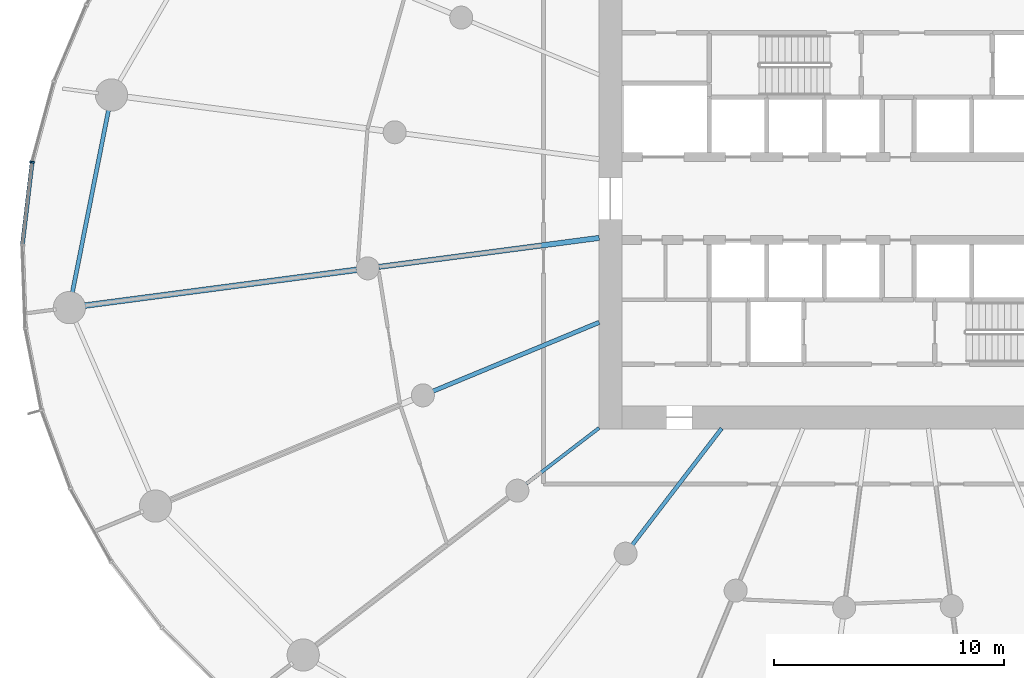
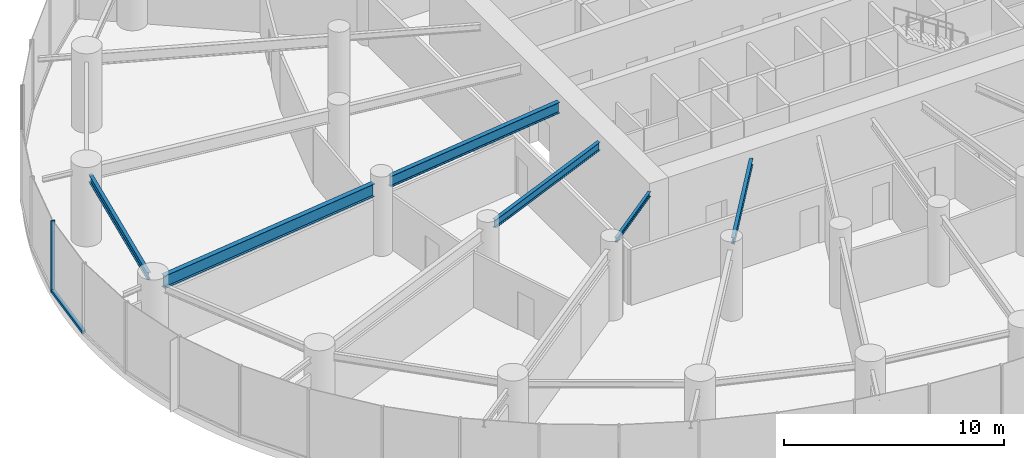
# One storey, part 3 of 19: 6 beams, 2 members, 1 element without a shape of its own.
"""IFC4 building model written with IfcOpenShell, lengths in metres."""

from ifc_helpers import new_model, si_unit, direction, frame, origin, origin_2d, place, context, subcontext, project, spatial, rectangle, i_section, extrude, source, transform, mapped, material, layer, layer_set, material_profile, profile_set, type_object, element, aggregate, save


model = new_model("IFC4")

# Units and contexts
model_context = context("Model", 3, precision=1e-05, world=origin(), true_north=direction((0.0, 1.0)))
body_context = subcontext(model_context, "Body", "Model", "MODEL_VIEW")
ifc_project = project(units=[si_unit("LENGTHUNIT", "METRE"), si_unit("AREAUNIT", "SQUARE_METRE"), si_unit("VOLUMEUNIT", "CUBIC_METRE"), si_unit("PLANEANGLEUNIT", "RADIAN"), si_unit("MASSUNIT", "GRAM", prefix="KILO")], contexts=[model_context])

# Site, building, storey
site_placement = place(None, origin())
site = spatial("IfcSite", under=ifc_project, at=site_placement, CompositionType="ELEMENT")
building_placement = place(site_placement, origin())
building = spatial("IfcBuilding", under=site, at=building_placement, Name="Spindrift Exchange Tower", CompositionType="ELEMENT")
storey_placement = place(building_placement, frame((0.0, 0.0, 57.800048828125)))
storey = spatial("IfcBuildingStorey", under=building, at=storey_placement, Name="L13", CompositionType="ELEMENT", Elevation=57.800048828125)

# Beams
ifc_material_1 = material(Name="Steel Grade 300", Category="steel")
ifc_material_profile_1 = material_profile(ifc_material_1, i_section(OverallWidth=0.22802734375, OverallDepth=0.60693359375, WebThickness=0.01123046875, FlangeThickness=0.017333984375, FilletRadius=0.013916015625, at=origin_2d()), Name="610UB113")
ifc_profile_set_1 = profile_set([ifc_material_profile_1], Name="Steel Grade 300")
beam_type_1 = type_object("IfcBeamType", Name="Floor Beam 610UB113 Steel Grade 300", PredefinedType="BEAM", material=ifc_profile_set_1)
shared_shape_1 = source(origin(), body_context, "Body", "SweptSolid", [
    extrude(i_section(OverallWidth=0.22802734375, OverallDepth=0.60693359375, WebThickness=0.01123046875, FlangeThickness=0.017333984375, FilletRadius=0.013916015625, at=origin_2d()), origin(), (0.0, 0.0, 1.0), 9.660400390625),
])
beam_1_placement = place(storey_placement, frame((39.019775390625, 46.291015625, 3.646484375), z_axis=(-0.99144767089, -0.130504850054, 0.0), x_axis=(0.130504850054, -0.99144767089, 0.0)))
element("IfcBeam", 1, at=beam_1_placement, inside=storey, type_object=beam_type_1, Name="L13 radial beam R13A", PredefinedType="BEAM", context=body_context, shape_type="MappedRepresentation", body=[
    mapped(shared_shape_1, transform((0.0, 0.0, 0.0), scale=1.0)),
])
ifc_material_profile_2 = material_profile(ifc_material_1, i_section(OverallWidth=0.25, OverallDepth=0.699951171875, WebThickness=0.008056640625, FlangeThickness=0.011962890625, at=origin_2d()), Name="700WB115")
ifc_profile_set_2 = profile_set([ifc_material_profile_2], Name="Steel Grade 300")
beam_type_2 = type_object("IfcBeamType", Name="Floor Beam 700WB115 Steel Grade 300", PredefinedType="BEAM", material=ifc_profile_set_2)
shared_shape_2 = source(origin(), body_context, "Body", "SweptSolid", [
    extrude(i_section(OverallWidth=0.25, OverallDepth=0.699951171875, WebThickness=0.008056640625, FlangeThickness=0.011962890625, at=origin_2d()), origin(), (0.0, 0.0, 1.0), 12.00830078125),
])
beam_2_placement = place(storey_placement, frame((28.490234375, 44.90478515625, 3.599853515625), z_axis=(-0.991444950947, -0.130525511844, 0.0), x_axis=(0.130525511844, -0.991444950947, 0.0)))
element("IfcBeam", 2, at=beam_2_placement, inside=storey, type_object=beam_type_2, Name="L13 radial beam R13B", PredefinedType="BEAM", context=body_context, shape_type="MappedRepresentation", body=[
    mapped(shared_shape_2, transform((0.0, 0.0, 0.0), scale=1.0)),
])
ifc_material_profile_3 = material_profile(ifc_material_1, i_section(OverallWidth=0.18994140625, OverallDepth=0.45703125, WebThickness=0.009033203125, FlangeThickness=0.014404296875, FilletRadius=0.013916015625, at=origin_2d()), Name="460UB74.6")
ifc_profile_set_3 = profile_set([ifc_material_profile_3], Name="Steel Grade 300")
beam_type_3 = type_object("IfcBeamType", Name="Floor Beam 460UB74.6 Steel Grade 300", PredefinedType="BEAM", material=ifc_profile_set_3)
shared_shape_3 = source(origin(), body_context, "Body", "SweptSolid", [
    extrude(i_section(OverallWidth=0.18994140625, OverallDepth=0.45703125, WebThickness=0.009033203125, FlangeThickness=0.014404296875, FilletRadius=0.013916015625, at=origin_2d()), origin(), (0.0, 0.0, 1.0), 7.808837890625),
])
beam_3_placement = place(storey_placement, frame((39.0185546875, 42.622802734375, 3.721435546875), z_axis=(-0.92387965154, -0.382683145003, 0.0), x_axis=(0.382683145003, -0.92387965154, 0.0)))
element("IfcBeam", 3, at=beam_3_placement, inside=storey, type_object=beam_type_3, Name="L13 radial beam R14A", PredefinedType="BEAM", context=body_context, shape_type="MappedRepresentation", body=[
    mapped(shared_shape_3, transform((0.0, 0.0, 0.0), scale=1.0)),
])
ifc_material_profile_4 = material_profile(ifc_material_1, i_section(OverallWidth=0.14599609375, OverallDepth=0.251953125, WebThickness=0.006103515625, FlangeThickness=0.008544921875, FilletRadius=0.011962890625, at=origin_2d()), Name="250UB31.4")
ifc_profile_set_4 = profile_set([ifc_material_profile_4], Name="Steel Grade 300")
beam_type_4 = type_object("IfcBeamType", Name="Floor Beam 250UB31.4 Steel Grade 300", PredefinedType="BEAM", material=ifc_profile_set_4)
shared_shape_4 = source(origin(), body_context, "Body", "SweptSolid", [
    extrude(i_section(OverallWidth=0.14599609375, OverallDepth=0.251953125, WebThickness=0.006103515625, FlangeThickness=0.008544921875, FilletRadius=0.011962890625, at=origin_2d()), origin(), (0.0, 0.0, 1.0), 3.99560546875),
])
beam_4_placement = place(storey_placement, frame((39.015869140625, 38.036865234375, 3.823974609375), z_axis=(-0.793352561574, -0.608762443851, 0.0), x_axis=(0.608762443851, -0.793352561574, 0.0)))
element("IfcBeam", 4, at=beam_4_placement, inside=storey, type_object=beam_type_4, Name="L13 radial beam R15A", PredefinedType="BEAM", context=body_context, shape_type="MappedRepresentation", body=[
    mapped(shared_shape_4, transform((0.0, 0.0, 0.0), scale=1.0)),
])
ifc_material_profile_5 = material_profile(ifc_material_1, i_section(OverallWidth=0.172119140625, OverallDepth=0.35888671875, WebThickness=0.008056640625, FlangeThickness=0.012939453125, FilletRadius=0.013916015625, at=origin_2d()), Name="360UB56.7")
ifc_profile_set_5 = profile_set([ifc_material_profile_5], Name="Steel Grade 300")
beam_type_5 = type_object("IfcBeamType", Name="Floor Beam 360UB56.7 Steel Grade 300", PredefinedType="BEAM", material=ifc_profile_set_5)
shared_shape_5 = source(origin(), body_context, "Body", "SweptSolid", [
    extrude(i_section(OverallWidth=0.172119140625, OverallDepth=0.35888671875, WebThickness=0.008056640625, FlangeThickness=0.012939453125, FilletRadius=0.013916015625, at=origin_2d()), origin(), (0.0, 0.0, 1.0), 6.37646484375),
])
beam_5_placement = place(storey_placement, frame((44.3388671875, 38.015869140625, 3.7705078125), z_axis=(-0.608766669952, -0.793349318747, 0.0), x_axis=(0.793349318747, -0.608766669952, 0.0)))
element("IfcBeam", 5, at=beam_5_placement, inside=storey, type_object=beam_type_5, Name="L13 radial beam R16A", PredefinedType="BEAM", context=body_context, shape_type="MappedRepresentation", body=[
    mapped(shared_shape_5, transform((0.0, 0.0, 0.0), scale=1.0)),
])
ifc_material_profile_6 = material_profile(ifc_material_1, i_section(OverallWidth=0.177978515625, OverallDepth=0.406005859375, WebThickness=0.0078125, FlangeThickness=0.0126953125, FilletRadius=0.013916015625, at=origin_2d()), Name="410UB59.7")
ifc_profile_set_6 = profile_set([ifc_material_profile_6], Name="Steel Grade 300")
beam_type_6 = type_object("IfcBeamType", Name="Edge Beam 410UB59.7 Steel Grade 300", PredefinedType="SPANDREL", material=ifc_profile_set_6)
shared_shape_6 = source(origin(), body_context, "Body", "SweptSolid", [
    extrude(i_section(OverallWidth=0.177978515625, OverallDepth=0.406005859375, WebThickness=0.0078125, FlangeThickness=0.0126953125, FilletRadius=0.013916015625, at=origin_2d()), origin(), (0.0, 0.0, 1.0), 8.2548828125),
])
beam_6_placement = place(storey_placement, frame((17.72607421875, 51.928466796875, 3.7470703125), z_axis=(-0.194278723288, -0.9809463684, 0.0), x_axis=(0.9809463684, -0.194278723288, 0.0)))
element("IfcBeam", 6, at=beam_6_placement, inside=storey, type_object=beam_type_6, Name="L13 edge beam E12", PredefinedType="SPANDREL", context=body_context, shape_type="MappedRepresentation", body=[
    mapped(shared_shape_6, transform((0.0, 0.0, 0.0), scale=1.0)),
])

# Curtain wall, members
ifc_material_2 = material(Name="Fritted laminated glass with bronze frame", Category="glass")
ifc_layer = layer(ifc_material_2, 0.199951171875)
ifc_layer_set = layer_set([ifc_layer], Name="ZONE 1 BRONZE FRITTED WALL")
curtain_wall_type = type_object("IfcCurtainWallType", Name="ZONE 1 BRONZE FRITTED WALL", PredefinedType="NOTDEFINED", material=ifc_layer_set)
curtain_wall_placement = place(storey_placement, origin())
curtain_wall = element("IfcCurtainWall", 7, at=curtain_wall_placement, inside=storey, type_object=curtain_wall_type, Name="L13 Zone 1 Bronze Fritted Wall run 5", PredefinedType="NOTDEFINED")
ifc_material_3 = material(Name="Bronze anodised aluminium", Category="aluminium")
ifc_material_profile_7 = material_profile(ifc_material_3, rectangle(XDim=0.080078125, YDim=0.199951171875, at=origin_2d()), Name="ZONE 1 BRONZE FRITTED WALL MULLION 80X200")
ifc_profile_set_7 = profile_set([ifc_material_profile_7], Name="Bronze anodised aluminium")
member_type_1 = type_object("IfcMemberType", Name="ZONE 1 BRONZE FRITTED WALL MULLION 80X200", PredefinedType="MULLION", material=ifc_profile_set_7)
shared_shape_7 = source(origin(), body_context, "Body", "SweptSolid", [
    extrude(rectangle(XDim=0.080078125, YDim=0.199951171875, at=origin_2d()), origin(), (0.0, 0.0, 1.0), 3.949951171875),
])
member_1_placement = place(storey_placement, frame((14.392578125, 49.580810546875, 0.0), z_axis=(0.0, 0.0, 1.0), x_axis=(-0.189826756381, -0.981817601473, 0.0)))
member_1 = element("IfcMember", 8, at=member_1_placement, type_object=member_type_1, Name="L13 mullion CW-1.28", PredefinedType="MULLION", context=body_context, shape_type="MappedRepresentation", body=[
    mapped(shared_shape_7, transform((0.0, 0.0, 0.0), scale=1.0)),
])
ifc_material_profile_8 = material_profile(ifc_material_3, rectangle(XDim=0.179931640625, YDim=0.14990234375, at=origin_2d()), Name="ZONE 1 BRONZE FRITTED WALL TRANSOM 180X150")
ifc_profile_set_8 = profile_set([ifc_material_profile_8], Name="Bronze anodised aluminium")
member_type_2 = type_object("IfcMemberType", Name="ZONE 1 BRONZE FRITTED WALL TRANSOM 180X150", PredefinedType="USERDEFINED", material=ifc_profile_set_8)
shared_shape_8 = source(origin(), body_context, "Body", "SweptSolid", [
    extrude(rectangle(XDim=0.179931640625, YDim=0.14990234375, at=origin_2d()), origin(), (0.0, 0.0, 1.0), 3.544921875),
])
member_2_placement = place(storey_placement, frame((14.387939453125, 49.541015625, 0.074951171875), z_axis=(-0.117700326893, -0.993049159432, 0.0), x_axis=(0.993049159432, -0.117700326893, 0.0)))
member_2 = element("IfcMember", 9, at=member_2_placement, type_object=member_type_2, Name="L13 transom CW-1.28", ObjectType="TRANSOM", PredefinedType="USERDEFINED", context=body_context, shape_type="MappedRepresentation", body=[
    mapped(shared_shape_8, transform((0.0, 0.0, 0.0), scale=1.0)),
])
aggregate(curtain_wall, [member_1, member_2])

save(model, "model.ifc")
